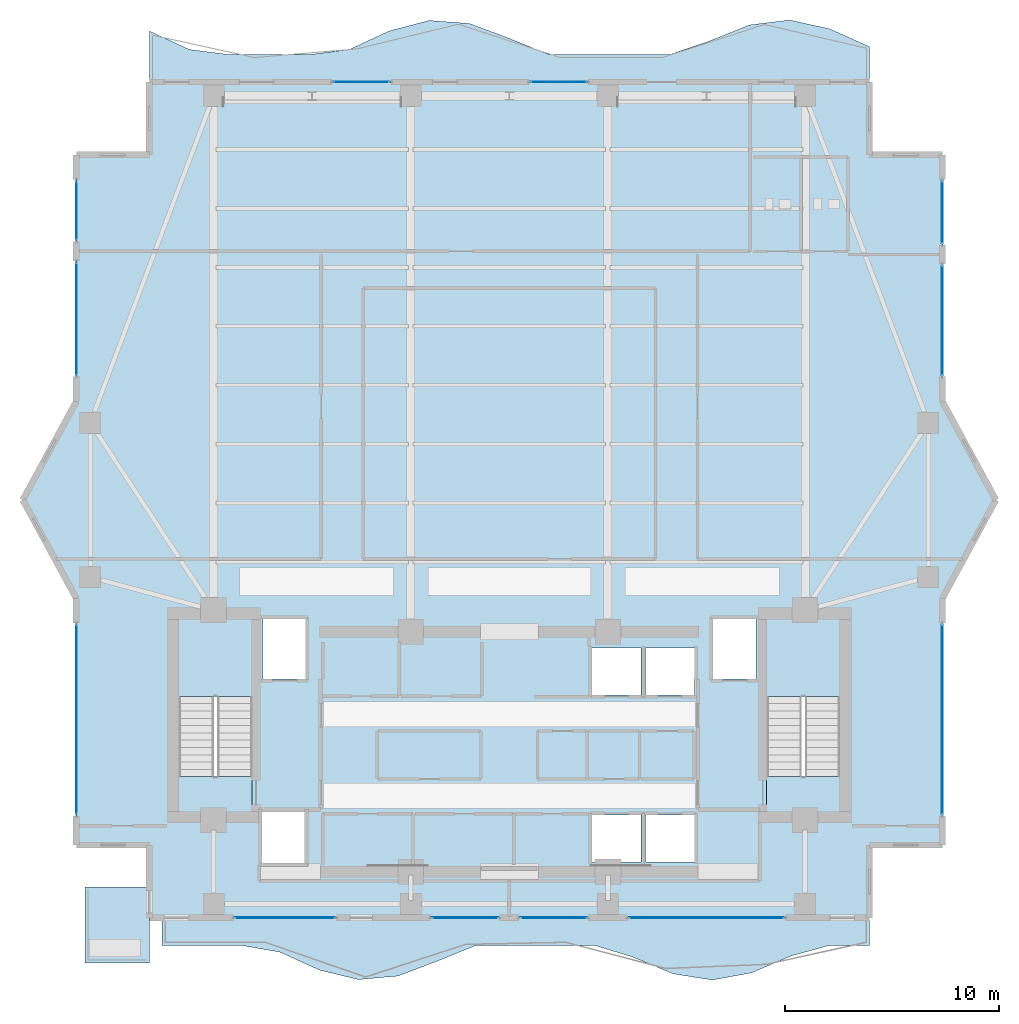
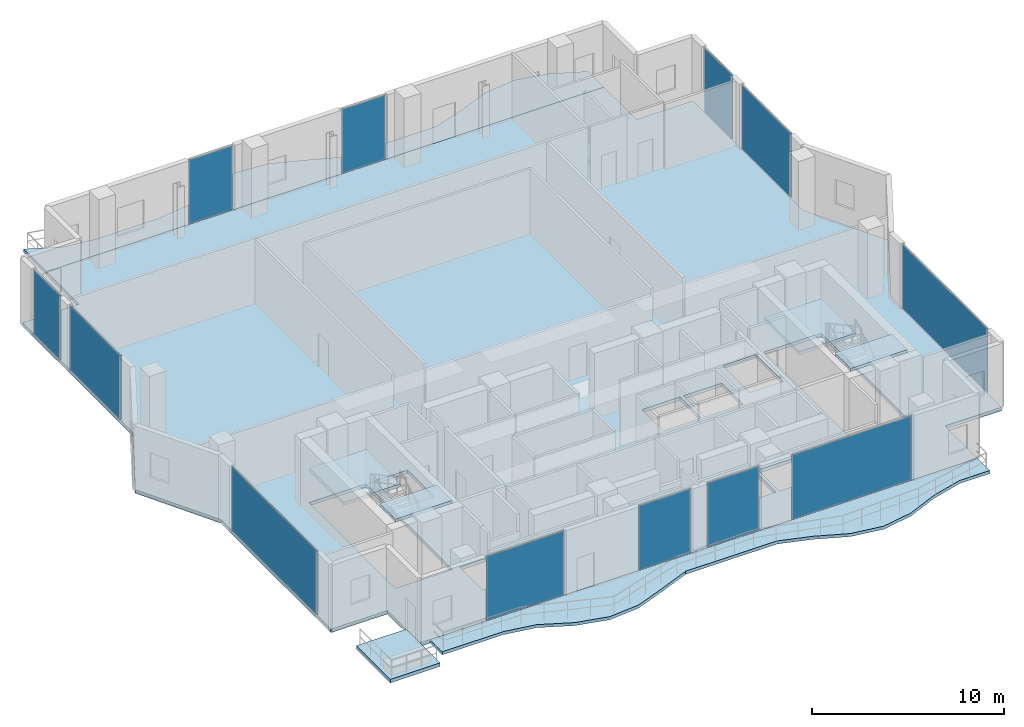
# One storey, part 16 of 24: 12 plates, 8 slabs, 14 elements without a shape of their own.
"""IFC4 building model written with IfcOpenShell, lengths in metres."""

from ifc_helpers import new_model, si_unit, direction, frame, origin, origin_2d, place, context, subcontext, project, spatial, polyline, rectangle, outline, extrude, material, layer, layer_set, type_object, element, aggregate, save


model = new_model("IFC4")

# Units and contexts
model_context = context("Model", 3, precision=1e-05, world=origin(), true_north=direction((0.0, 1.0)))
body_context = subcontext(model_context, "Body", "Model", "MODEL_VIEW")
ifc_project = project(units=[si_unit("LENGTHUNIT", "METRE"), si_unit("AREAUNIT", "SQUARE_METRE"), si_unit("VOLUMEUNIT", "CUBIC_METRE"), si_unit("PLANEANGLEUNIT", "RADIAN"), si_unit("MASSUNIT", "GRAM", prefix="KILO")], contexts=[model_context])

# Site, building, storey
site_placement = place(None, origin())
site = spatial("IfcSite", under=ifc_project, at=site_placement, CompositionType="ELEMENT")
building_placement = place(site_placement, origin())
building = spatial("IfcBuilding", under=site, at=building_placement, Name="Zuhayl Quay Hotel", CompositionType="ELEMENT")
storey_placement = place(building_placement, frame((0.0, 0.0, 284.050048828125)))
storey = spatial("IfcBuildingStorey", under=building, at=storey_placement, Name="L72", CompositionType="ELEMENT", Elevation=284.050048828125)

# Curtain wall, plate
ifc_material_1 = material(Name="Anodised Aluminium 6063-T6", Category="aluminium")
ifc_layer_1 = layer(ifc_material_1, 0.169921875, Name="Anodised Aluminium 6063-T6", Category="aluminium")
ifc_layer_set_1 = layer_set([ifc_layer_1], Name="Anodised Aluminium 6063-T6")
curtain_wall_type = type_object("IfcCurtainWallType", Name="CW_SYS_Z4", PredefinedType="USERDEFINED", material=ifc_layer_set_1)
curtain_wall_1_placement = place(storey_placement, origin())
curtain_wall_1 = element("IfcCurtainWall", 1, at=curtain_wall_1_placement, inside=storey, type_object=curtain_wall_type, Name="L72 Curtain Wall ENV_L72_E02_CW1", ObjectType="UNITISED CURTAIN WALL", PredefinedType="USERDEFINED")
ifc_material_2 = material(Name="Dark Ceramic-Fritted Solar Glass", Category="glass")
ifc_layer_2 = layer(ifc_material_2, 0.035888671875, Name="Dark Ceramic-Fritted Solar Glass", Category="glass")
ifc_layer_set_2 = layer_set([ifc_layer_2], Name="Dark Ceramic-Fritted Solar Glass")
plate_type = type_object("IfcPlateType", Name="PN_DARK_FRIT_Z1", PredefinedType="CURTAIN_PANEL", material=ifc_layer_set_2)
plate_1_placement = place(storey_placement, frame((-20.199951171875, 9.25, 0.0546875), z_axis=(0.0, 0.0, 1.0), x_axis=(0.0, 1.0, 0.0)))
plate_1 = element("IfcPlate", 2, at=plate_1_placement, type_object=plate_type, Name="CW-Z4 panel 1.1", PredefinedType="CURTAIN_PANEL", context=body_context, shape_type="SweptSolid", body=[
    extrude(rectangle(XDim=8.8701171875, YDim=0.035888671875, at=origin_2d()), origin(), (0.0, 0.0, 1.0), 4.070068359375),
])
aggregate(curtain_wall_1, [plate_1])

curtain_wall_2_placement = place(storey_placement, origin())
curtain_wall_2 = element("IfcCurtainWall", 3, at=curtain_wall_2_placement, inside=storey, type_object=curtain_wall_type, Name="L72 Curtain Wall ENV_L72_E05_CW1", ObjectType="UNITISED CURTAIN WALL", PredefinedType="USERDEFINED")
plate_2_placement = place(storey_placement, frame((-20.199951171875, 27.949951171875, 0.0546875), z_axis=(0.0, 0.0, 1.0), x_axis=(0.0, 1.0, 0.0)))
plate_2 = element("IfcPlate", 4, at=plate_2_placement, type_object=plate_type, Name="CW-Z4 panel 1.1", PredefinedType="CURTAIN_PANEL", context=body_context, shape_type="SweptSolid", body=[
    extrude(rectangle(XDim=5.27001953125, YDim=0.035888671875, at=origin_2d()), origin(), (0.0, 0.0, 1.0), 4.070068359375),
])
aggregate(curtain_wall_2, [plate_2])

curtain_wall_3_placement = place(storey_placement, origin())
curtain_wall_3 = element("IfcCurtainWall", 5, at=curtain_wall_3_placement, inside=storey, type_object=curtain_wall_type, Name="L72 Curtain Wall ENV_L72_E05_CW2", ObjectType="UNITISED CURTAIN WALL", PredefinedType="USERDEFINED")
plate_3_placement = place(storey_placement, frame((-20.199951171875, 33.0, 0.0546875), z_axis=(0.0, 0.0, 1.0), x_axis=(0.0, 1.0, 0.0)))
plate_3 = element("IfcPlate", 6, at=plate_3_placement, type_object=plate_type, Name="CW-Z4 panel 1.1", PredefinedType="CURTAIN_PANEL", context=body_context, shape_type="SweptSolid", body=[
    extrude(rectangle(XDim=2.77001953125, YDim=0.035888671875, at=origin_2d()), origin(), (0.0, 0.0, 1.0), 4.070068359375),
])
aggregate(curtain_wall_3, [plate_3])

curtain_wall_4_placement = place(storey_placement, origin())
curtain_wall_4 = element("IfcCurtainWall", 7, at=curtain_wall_4_placement, inside=storey, type_object=curtain_wall_type, Name="L72 Curtain Wall ENV_L72_N_CW1", ObjectType="UNITISED CURTAIN WALL", PredefinedType="USERDEFINED")
plate_4_placement = place(storey_placement, frame((-6.89990234375, 39.0, 0.0546875), z_axis=(0.0, 0.0, 1.0), x_axis=(1.0, 0.0, 0.0)))
plate_4 = element("IfcPlate", 8, at=plate_4_placement, type_object=plate_type, Name="CW-Z4 panel 1.1", PredefinedType="CURTAIN_PANEL", context=body_context, shape_type="SweptSolid", body=[
    extrude(rectangle(XDim=2.6298828125, YDim=0.035888671875, at=origin_2d()), origin(), (0.0, 0.0, 1.0), 4.070068359375),
])
aggregate(curtain_wall_4, [plate_4])

curtain_wall_5_placement = place(storey_placement, origin())
curtain_wall_5 = element("IfcCurtainWall", 9, at=curtain_wall_5_placement, inside=storey, type_object=curtain_wall_type, Name="L72 Curtain Wall ENV_L72_N_CW2", ObjectType="UNITISED CURTAIN WALL", PredefinedType="USERDEFINED")
plate_5_placement = place(storey_placement, frame((2.300048828125, 39.0, 0.0546875), z_axis=(0.0, 0.0, 1.0), x_axis=(1.0, 0.0, 0.0)))
plate_5 = element("IfcPlate", 10, at=plate_5_placement, type_object=plate_type, Name="CW-Z4 panel 1.1", PredefinedType="CURTAIN_PANEL", context=body_context, shape_type="SweptSolid", body=[
    extrude(rectangle(XDim=2.6298828125, YDim=0.035888671875, at=origin_2d()), origin(), (0.0, 0.0, 1.0), 4.070068359375),
])
aggregate(curtain_wall_5, [plate_5])

curtain_wall_6_placement = place(storey_placement, origin())
curtain_wall_6 = element("IfcCurtainWall", 11, at=curtain_wall_6_placement, inside=storey, type_object=curtain_wall_type, Name="L72 Curtain Wall ENV_L72_E11_CW1", ObjectType="UNITISED CURTAIN WALL", PredefinedType="USERDEFINED")
plate_6_placement = place(storey_placement, frame((20.199951171875, 32.925048828125, 0.0546875), z_axis=(0.0, 0.0, 1.0), x_axis=(0.0, -1.0, 0.0)))
plate_6 = element("IfcPlate", 12, at=plate_6_placement, type_object=plate_type, Name="CW-Z4 panel 1.1", PredefinedType="CURTAIN_PANEL", context=body_context, shape_type="SweptSolid", body=[
    extrude(rectangle(XDim=2.919921875, YDim=0.035888671875, at=origin_2d()), origin(), (0.0, 0.0, 1.0), 4.070068359375),
])
aggregate(curtain_wall_6, [plate_6])

curtain_wall_7_placement = place(storey_placement, origin())
curtain_wall_7 = element("IfcCurtainWall", 13, at=curtain_wall_7_placement, inside=storey, type_object=curtain_wall_type, Name="L72 Curtain Wall ENV_L72_E11_CW2", ObjectType="UNITISED CURTAIN WALL", PredefinedType="USERDEFINED")
plate_7_placement = place(storey_placement, frame((20.199951171875, 27.875, 0.0546875), z_axis=(0.0, 0.0, 1.0), x_axis=(0.0, -1.0, 0.0)))
plate_7 = element("IfcPlate", 14, at=plate_7_placement, type_object=plate_type, Name="CW-Z4 panel 1.1", PredefinedType="CURTAIN_PANEL", context=body_context, shape_type="SweptSolid", body=[
    extrude(rectangle(XDim=5.1201171875, YDim=0.035888671875, at=origin_2d()), origin(), (0.0, 0.0, 1.0), 4.070068359375),
])
aggregate(curtain_wall_7, [plate_7])

curtain_wall_8_placement = place(storey_placement, origin())
curtain_wall_8 = element("IfcCurtainWall", 15, at=curtain_wall_8_placement, inside=storey, type_object=curtain_wall_type, Name="L72 Curtain Wall ENV_L72_E14_CW1", ObjectType="UNITISED CURTAIN WALL", PredefinedType="USERDEFINED")
plate_8_placement = place(storey_placement, frame((20.199951171875, 9.25, 0.0546875), z_axis=(0.0, 0.0, 1.0), x_axis=(0.0, -1.0, 0.0)))
plate_8 = element("IfcPlate", 16, at=plate_8_placement, type_object=plate_type, Name="CW-Z4 panel 1.1", PredefinedType="CURTAIN_PANEL", context=body_context, shape_type="SweptSolid", body=[
    extrude(rectangle(XDim=8.8701171875, YDim=0.035888671875, at=origin_2d()), origin(), (0.0, 0.0, 1.0), 4.070068359375),
])
aggregate(curtain_wall_8, [plate_8])

curtain_wall_9_placement = place(storey_placement, origin())
curtain_wall_9 = element("IfcCurtainWall", 17, at=curtain_wall_9_placement, inside=storey, type_object=curtain_wall_type, Name="L72 Curtain Wall ENV_L72_S_CW1", ObjectType="UNITISED CURTAIN WALL", PredefinedType="USERDEFINED")
plate_9_placement = place(storey_placement, frame((9.199951171875, 0.0, 0.0546875), z_axis=(0.0, 0.0, 1.0), x_axis=(-1.0, 0.0, 0.0)))
plate_9 = element("IfcPlate", 18, at=plate_9_placement, type_object=plate_type, Name="CW-Z4 panel 1.1", PredefinedType="CURTAIN_PANEL", context=body_context, shape_type="SweptSolid", body=[
    extrude(rectangle(XDim=7.22998046875, YDim=0.035888671875, at=origin_2d()), origin(), (0.0, 0.0, 1.0), 4.070068359375),
])
aggregate(curtain_wall_9, [plate_9])

curtain_wall_10_placement = place(storey_placement, origin())
curtain_wall_10 = element("IfcCurtainWall", 19, at=curtain_wall_10_placement, inside=storey, type_object=curtain_wall_type, Name="L72 Curtain Wall ENV_L72_S_CW2", ObjectType="UNITISED CURTAIN WALL", PredefinedType="USERDEFINED")
plate_10_placement = place(storey_placement, frame((2.06494140625, 0.0, 0.0546875), z_axis=(0.0, 0.0, 1.0), x_axis=(-1.0, 0.0, 0.0)))
plate_10 = element("IfcPlate", 20, at=plate_10_placement, type_object=plate_type, Name="CW-Z4 panel 1.1", PredefinedType="CURTAIN_PANEL", context=body_context, shape_type="SweptSolid", body=[
    extrude(rectangle(XDim=3.10009765625, YDim=0.035888671875, at=origin_2d()), origin(), (0.0, 0.0, 1.0), 4.070068359375),
])
aggregate(curtain_wall_10, [plate_10])

curtain_wall_11_placement = place(storey_placement, origin())
curtain_wall_11 = element("IfcCurtainWall", 21, at=curtain_wall_11_placement, inside=storey, type_object=curtain_wall_type, Name="L72 Curtain Wall ENV_L72_S_CW3", ObjectType="UNITISED CURTAIN WALL", PredefinedType="USERDEFINED")
plate_11_placement = place(storey_placement, frame((-2.06494140625, 0.0, 0.0546875), z_axis=(0.0, 0.0, 1.0), x_axis=(-1.0, 0.0, 0.0)))
plate_11 = element("IfcPlate", 22, at=plate_11_placement, type_object=plate_type, Name="CW-Z4 panel 1.1", PredefinedType="CURTAIN_PANEL", context=body_context, shape_type="SweptSolid", body=[
    extrude(rectangle(XDim=3.10009765625, YDim=0.035888671875, at=origin_2d()), origin(), (0.0, 0.0, 1.0), 4.070068359375),
])
aggregate(curtain_wall_11, [plate_11])

curtain_wall_12_placement = place(storey_placement, origin())
curtain_wall_12 = element("IfcCurtainWall", 23, at=curtain_wall_12_placement, inside=storey, type_object=curtain_wall_type, Name="L72 Curtain Wall ENV_L72_S_CW4", ObjectType="UNITISED CURTAIN WALL", PredefinedType="USERDEFINED")
plate_12_placement = place(storey_placement, frame((-10.4775390625, 0.0, 0.0546875), z_axis=(0.0, 0.0, 1.0), x_axis=(-1.0, 0.0, 0.0)))
plate_12 = element("IfcPlate", 24, at=plate_12_placement, type_object=plate_type, Name="CW-Z4 panel 1.1", PredefinedType="CURTAIN_PANEL", context=body_context, shape_type="SweptSolid", body=[
    extrude(rectangle(XDim=4.675048828125, YDim=0.035888671875, at=origin_2d()), origin(), (0.0, 0.0, 1.0), 4.070068359375),
])
aggregate(curtain_wall_12, [plate_12])

# Slabs
ifc_material_3 = material(Name="Concrete C45/55", Category="concrete")
ifc_layer_3 = layer(ifc_material_3, 0.195068359375, Name="Concrete C45/55", Category="concrete")
ifc_layer_set_3 = layer_set([ifc_layer_3], Name="Concrete C45/55")
slab_type_1 = type_object("IfcSlabType", Name="SL_BALCONY_195", PredefinedType="FLOOR", material=ifc_layer_set_3)
slab_1_placement = place(storey_placement, frame((0.0, 0.0, -0.195068359375)))
element("IfcSlab", 25, at=slab_1_placement, inside=storey, type_object=slab_type_1, Name="L72 Exterior Rippling Balcony Slab North", PredefinedType="FLOOR", context=body_context, shape_type="SweptSolid", body=[
    extrude(outline(polyline([(-16.800048828125, 39.0), (16.800048828125, 39.0), (16.800048828125, 40.64990234375), (14.933349609375, 41.486328125), (13.066650390625, 41.893310546875), (11.199951171875, 41.661376953125), (9.333251953125, 40.909912109375), (7.466796875, 40.280029296875), (5.60009765625, 40.280029296875), (3.7333984375, 40.280029296875), (1.86669921875, 40.280029296875), (0.0, 41.036376953125), (-1.86669921875, 41.732421875), (-3.7333984375, 41.872802734375), (-5.60009765625, 41.384765625), (-7.466796875, 40.519287109375), (-9.333251953125, 40.280029296875), (-11.199951171875, 40.280029296875), (-13.066650390625, 40.280029296875), (-14.933349609375, 40.519287109375), (-16.800048828125, 41.384765625), (-16.800048828125, 39.0)])), origin(), (0.0, 0.0, 1.0), 0.195068359375),
])
slab_2_placement = place(storey_placement, frame((0.0, 0.0, -0.195068359375)))
element("IfcSlab", 26, at=slab_2_placement, inside=storey, type_object=slab_type_1, Name="L72 Exterior Rippling Balcony Slab South", PredefinedType="FLOOR", context=body_context, shape_type="SweptSolid", body=[
    extrude(outline(polyline([(-16.199951171875, -1.280029296875), (-14.36669921875, -1.280029296875), (-12.533203125, -1.280029296875), (-10.699951171875, -1.600830078125), (-8.86669921875, -2.436767578125), (-7.033203125, -2.8818359375), (-5.199951171875, -2.7158203125), (-3.36669921875, -2.020751953125), (-1.533203125, -1.280029296875), (0.300048828125, -1.280029296875), (2.13330078125, -1.280029296875), (3.966796875, -1.280029296875), (5.800048828125, -1.845458984375), (7.63330078125, -2.611083984375), (9.466796875, -2.899658203125), (11.300048828125, -2.56787109375), (13.13330078125, -1.78076171875), (14.966796875, -1.280029296875), (16.800048828125, -1.280029296875), (16.800048828125, 0.0), (-16.199951171875, 0.0), (-16.199951171875, -1.280029296875)])), origin(), (0.0, 0.0, 1.0), 0.195068359375),
])
ifc_layer_4 = layer(ifc_material_3, 0.219970703125, Name="Concrete C45/55", Category="concrete")
ifc_layer_set_4 = layer_set([ifc_layer_4], Name="Concrete C45/55")
slab_type_2 = type_object("IfcSlabType", Name="SL_FLOOR_220", PredefinedType="FLOOR", material=ifc_layer_set_4)
slab_3_placement = place(storey_placement, frame((0.0, 0.0, -0.219970703125)))
element("IfcSlab", 27, at=slab_3_placement, inside=storey, type_object=slab_type_2, Name="L72 Structural Floor Slab", PredefinedType="FLOOR", context=body_context, shape_type="SweptSolid", body=[
    extrude(outline(polyline([(-16.800048828125, 0.0), (16.800048828125, 0.0), (16.800048828125, 3.39990234375), (20.199951171875, 3.39990234375), (20.199951171875, 14.89990234375), (22.699951171875, 19.5), (20.199951171875, 24.10009765625), (20.199951171875, 35.60009765625), (16.800048828125, 35.60009765625), (16.800048828125, 39.0), (-16.800048828125, 39.0), (-16.800048828125, 35.60009765625), (-20.199951171875, 35.60009765625), (-20.199951171875, 24.10009765625), (-22.699951171875, 19.5), (-20.199951171875, 14.89990234375), (-20.199951171875, 3.39990234375), (-16.800048828125, 3.39990234375), (-16.800048828125, 0.0)]), holes=[polyline([(-12.0, 4.949951171875), (-12.0, 13.949951171875), (-15.429931640625, 13.949951171875), (-15.429931640625, 4.949951171875), (-12.0, 4.949951171875)]), polyline([(15.429931640625, 4.949951171875), (15.429931640625, 13.949951171875), (12.0, 13.949951171875), (12.0, 4.949951171875), (15.429931640625, 4.949951171875)]), polyline([(-11.5, 11.14990234375), (-9.5, 11.14990234375), (-9.5, 13.949951171875), (-11.5, 13.949951171875), (-11.5, 11.14990234375)]), polyline([(9.5, 11.14990234375), (11.5, 11.14990234375), (11.5, 13.949951171875), (9.5, 13.949951171875), (9.5, 11.14990234375)]), polyline([(3.85009765625, 2.60009765625), (6.14990234375, 2.60009765625), (6.14990234375, 4.800048828125), (3.85009765625, 4.800048828125), (3.85009765625, 2.60009765625)]), polyline([(6.35009765625, 2.60009765625), (8.64990234375, 2.60009765625), (8.64990234375, 4.800048828125), (6.35009765625, 4.800048828125), (6.35009765625, 2.60009765625)]), polyline([(3.85009765625, 10.39990234375), (6.14990234375, 10.39990234375), (6.14990234375, 12.60009765625), (3.85009765625, 12.60009765625), (3.85009765625, 10.39990234375)]), polyline([(6.35009765625, 10.39990234375), (8.64990234375, 10.39990234375), (8.64990234375, 12.60009765625), (6.35009765625, 12.60009765625), (6.35009765625, 10.39990234375)]), polyline([(-11.550048828125, 2.550048828125), (-9.550048828125, 2.550048828125), (-9.550048828125, 4.949951171875), (-11.550048828125, 4.949951171875), (-11.550048828125, 2.550048828125)])]), origin(), (0.0, 0.0, 1.0), 0.219970703125),
])

# Stair, slabs
stair_type = type_object("IfcStairType", Name="ST_DOGLEG_TOWER", PredefinedType="HALF_TURN_STAIR", material=ifc_material_3)
stair_1_placement = place(storey_placement, origin())
stair_1 = element("IfcStair", 28, at=stair_1_placement, inside=storey, type_object=stair_type, Name="L72 Smokeproof Exit Stair ST1", PredefinedType="HALF_TURN_STAIR")
ifc_layer_5 = layer(ifc_material_3, 0.199951171875, Name="Concrete C45/55", Category="concrete")
ifc_layer_set_5 = layer_set([ifc_layer_5], Name="Concrete C45/55")
slab_type_3 = type_object("IfcSlabType", Name="SL_STAIR_LANDING_200", PredefinedType="LANDING", material=ifc_layer_set_5)
slab_4_placement = place(storey_placement, frame((0.0, 0.0, 2.0)))
slab_4 = element("IfcSlab", 29, at=slab_4_placement, type_object=slab_type_3, Name="ST1 landing 1", PredefinedType="LANDING", context=body_context, shape_type="SweptSolid", body=[
    extrude(outline(polyline([(-12.0, 10.330078125), (-12.0, 13.949951171875), (-15.429931640625, 13.949951171875), (-15.429931640625, 10.330078125), (-12.0, 10.330078125)])), origin(), (0.0, 0.0, 1.0), 0.199951171875),
])
slab_5_placement = place(storey_placement, frame((0.0, 0.0, 4.199951171875)))
slab_5 = element("IfcSlab", 30, at=slab_5_placement, type_object=slab_type_3, Name="ST1 landing 2", PredefinedType="LANDING", context=body_context, shape_type="SweptSolid", body=[
    extrude(outline(polyline([(-12.0, 4.949951171875), (-12.0, 6.590087890625), (-15.429931640625, 6.590087890625), (-15.429931640625, 4.949951171875), (-12.0, 4.949951171875)])), origin(), (0.0, 0.0, 1.0), 0.199951171875),
])
aggregate(stair_1, [slab_4, slab_5])

stair_2_placement = place(storey_placement, origin())
stair_2 = element("IfcStair", 31, at=stair_2_placement, inside=storey, type_object=stair_type, Name="L72 Smokeproof Exit Stair ST2", PredefinedType="HALF_TURN_STAIR")
slab_6_placement = place(storey_placement, frame((0.0, 0.0, 2.0)))
slab_6 = element("IfcSlab", 32, at=slab_6_placement, type_object=slab_type_3, Name="ST2 landing 1", PredefinedType="LANDING", context=body_context, shape_type="SweptSolid", body=[
    extrude(outline(polyline([(15.429931640625, 10.330078125), (15.429931640625, 13.949951171875), (12.0, 13.949951171875), (12.0, 10.330078125), (15.429931640625, 10.330078125)])), origin(), (0.0, 0.0, 1.0), 0.199951171875),
])
slab_7_placement = place(storey_placement, frame((0.0, 0.0, 4.199951171875)))
slab_7 = element("IfcSlab", 33, at=slab_7_placement, type_object=slab_type_3, Name="ST2 landing 2", PredefinedType="LANDING", context=body_context, shape_type="SweptSolid", body=[
    extrude(outline(polyline([(15.429931640625, 4.949951171875), (15.429931640625, 6.590087890625), (12.0, 6.590087890625), (12.0, 4.949951171875), (15.429931640625, 4.949951171875)])), origin(), (0.0, 0.0, 1.0), 0.199951171875),
])
aggregate(stair_2, [slab_6, slab_7])

# Slab
ifc_layer_6 = layer(ifc_material_3, 0.219970703125, Name="Concrete C45/55", Category="concrete")
ifc_layer_set_6 = layer_set([ifc_layer_6], Name="Concrete C45/55")
slab_type_4 = type_object("IfcSlabType", Name="SL_TERRACE_235", PredefinedType="FLOOR", material=ifc_layer_set_6)
slab_8_placement = place(storey_placement, frame((0.0, 0.0, -0.219970703125)))
element("IfcSlab", 34, at=slab_8_placement, inside=storey, type_object=slab_type_4, Name="L72 Exterior Sky-Terrace Slab L72_SPIRAL_SW", PredefinedType="FLOOR", context=body_context, shape_type="SweptSolid", body=[
    extrude(outline(polyline([(-19.800048828125, -2.10009765625), (-16.800048828125, -2.10009765625), (-16.800048828125, 1.449951171875), (-19.800048828125, 1.449951171875), (-19.800048828125, -2.10009765625)])), origin(), (0.0, 0.0, 1.0), 0.219970703125),
])

save(model, "model.ifc")
